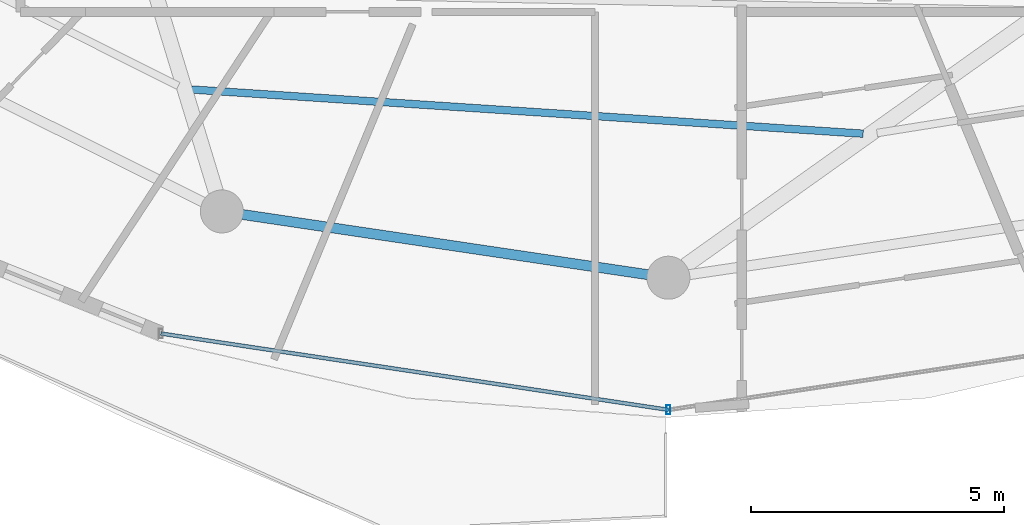
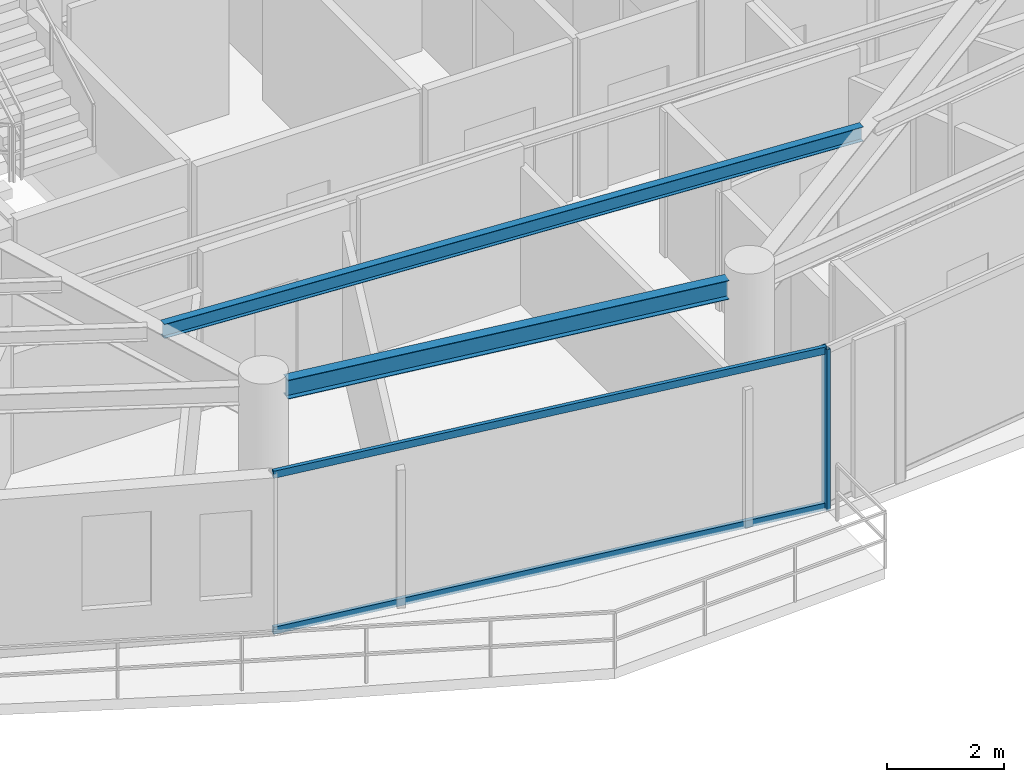
# One storey, part 5 of 30: 3 members, 2 beams, 1 element without a shape of its own.
"""IFC4 building model written with IfcOpenShell, lengths in metres."""

from ifc_helpers import new_model, si_unit, direction, frame, origin, origin_2d, place, context, subcontext, project, spatial, hollow_rectangle, i_section, extrude, material, material_profile, profile_set, type_object, element, aggregate, save


model = new_model("IFC4")

# Units and contexts
model_context = context("Model", 3, precision=1e-05, world=origin(), true_north=direction((0.0, 1.0)))
body_context = subcontext(model_context, "Body", "Model", "MODEL_VIEW")
ifc_project = project(units=[si_unit("LENGTHUNIT", "METRE"), si_unit("AREAUNIT", "SQUARE_METRE"), si_unit("VOLUMEUNIT", "CUBIC_METRE"), si_unit("PLANEANGLEUNIT", "RADIAN"), si_unit("MASSUNIT", "GRAM", prefix="KILO")], contexts=[model_context])

# Site, building, storey
site_placement = place(None, origin())
site = spatial("IfcSite", under=ifc_project, at=site_placement, CompositionType="ELEMENT")
building_placement = place(site_placement, origin())
building = spatial("IfcBuilding", under=site, at=building_placement, Name="Vorneva Point Tower", CompositionType="ELEMENT")
storey_placement = place(building_placement, frame((0.0, 0.0, 252.0)))
storey = spatial("IfcBuildingStorey", under=building, at=storey_placement, Name="L68", CompositionType="ELEMENT", Elevation=252.0)

# Beams
ifc_material_1 = material(Name="Steel S355", Category="steel")
ifc_material_profile_1 = material_profile(ifc_material_1, i_section(OverallWidth=0.14892578125, OverallDepth=0.298095703125, WebThickness=0.005615234375, FlangeThickness=0.008056640625, at=origin_2d()), Name="30B1")
ifc_profile_set_1 = profile_set([ifc_material_profile_1], Name="Steel S355")
beam_type_1 = type_object("IfcBeamType", Name="BM-JST-30B1", PredefinedType="JOIST", material=ifc_profile_set_1)
beam_1_placement = place(storey_placement, frame((28.5810546875, 12.5185546875, 3.14111328125), z_axis=(0.997841748634, -0.065664637992, 0.0), x_axis=(0.065664637992, 0.997841748634, 0.0)))
element("IfcBeam", 1, at=beam_1_placement, inside=storey, type_object=beam_type_1, Name="L68 Secondary Floor Beam 1.12", PredefinedType="JOIST", context=body_context, shape_type="SweptSolid", body=[
    extrude(i_section(OverallWidth=0.14892578125, OverallDepth=0.298095703125, WebThickness=0.005615234375, FlangeThickness=0.008056640625, at=origin_2d()), origin(), (0.0, 0.0, 1.0), 13.295654296875),
])
ifc_material_profile_2 = material_profile(ifc_material_1, i_section(OverallWidth=0.198974609375, OverallDepth=0.39599609375, WebThickness=0.007080078125, FlangeThickness=0.010986328125, at=origin_2d()), Name="40B1")
ifc_profile_set_2 = profile_set([ifc_material_profile_2], Name="Steel S355")
beam_type_2 = type_object("IfcBeamType", Name="BM-SPN-40B1", PredefinedType="SPANDREL", material=ifc_profile_set_2)
beam_2_placement = place(storey_placement, frame((29.584716796875, 10.049072265625, 3.092041015625), z_axis=(0.989161657331, -0.146830567886, 0.0), x_axis=(0.146830567886, 0.989161657331, 0.0)))
element("IfcBeam", 2, at=beam_2_placement, inside=storey, type_object=beam_type_2, Name="L68 Perimeter Spandrel Ring Beam 12", PredefinedType="SPANDREL", context=body_context, shape_type="SweptSolid", body=[
    extrude(i_section(OverallWidth=0.198974609375, OverallDepth=0.39599609375, WebThickness=0.007080078125, FlangeThickness=0.010986328125, at=origin_2d()), origin(), (0.0, 0.0, 1.0), 8.097412109375),
])

# Curtain wall, members
ifc_material_2 = material(Name="Pale anodised aluminium", Category="aluminium")
curtain_wall_type = type_object("IfcCurtainWallType", Name="CW-RES-SYS", PredefinedType="NOTDEFINED", material=ifc_material_2)
curtain_wall_placement = place(storey_placement, origin())
curtain_wall = element("IfcCurtainWall", 3, at=curtain_wall_placement, inside=storey, type_object=curtain_wall_type, Name="L68 Unitised Curtain Wall CW-L68-R04", PredefinedType="NOTDEFINED")
ifc_material_profile_3 = material_profile(ifc_material_2, hollow_rectangle(XDim=0.074951171875, YDim=0.179931640625, WallThickness=0.00390625, at=origin_2d()), Name="AL-MUL 180x75x4")
ifc_profile_set_3 = profile_set([ifc_material_profile_3], Name="Pale anodised aluminium")
member_type_1 = type_object("IfcMemberType", Name="CW-MUL-180", PredefinedType="MULLION", material=ifc_profile_set_3)
member_1_placement = place(storey_placement, frame((38.0, 6.18994140625, -0.0400390625), z_axis=(0.0, 0.0, 1.0), x_axis=(1.0, 0.0, 0.0)))
member_1 = element("IfcMember", 4, at=member_1_placement, type_object=member_type_1, Name="CW-L68-R04 Mullion 02", PredefinedType="MULLION", context=body_context, shape_type="SweptSolid", body=[
    extrude(hollow_rectangle(XDim=0.074951171875, YDim=0.179931640625, WallThickness=0.00390625, at=origin_2d()), origin(), (0.0, 0.0, 1.0), 3.360107421875),
])
ifc_material_profile_4 = material_profile(ifc_material_2, hollow_rectangle(XDim=0.074951171875, YDim=0.14990234375, WallThickness=0.00390625, at=origin_2d()), Name="AL-TRN 150x75x4")
ifc_profile_set_4 = profile_set([ifc_material_profile_4], Name="Pale anodised aluminium")
member_type_2 = type_object("IfcMemberType", Name="CW-TRN-150", PredefinedType="USERDEFINED", material=ifc_profile_set_4)
member_2_placement = place(storey_placement, frame((27.9736328125, 7.697998046875, 0.02001953125), z_axis=(0.988876929856, -0.148736066907, 0.0), x_axis=(0.148736066907, 0.988876929856, 0.0)))
member_2 = element("IfcMember", 5, at=member_2_placement, type_object=member_type_2, Name="CW-L68-R04 Transom 01.1", ObjectType="TRANSOM", PredefinedType="USERDEFINED", context=body_context, shape_type="SweptSolid", body=[
    extrude(hollow_rectangle(XDim=0.074951171875, YDim=0.14990234375, WallThickness=0.00390625, at=origin_2d()), origin(), (0.0, 0.0, 1.0), 10.13916015625),
])
member_3_placement = place(storey_placement, frame((27.9736328125, 7.697998046875, 3.27001953125), z_axis=(0.988876929856, -0.148736066907, 0.0), x_axis=(0.148736066907, 0.988876929856, 0.0)))
member_3 = element("IfcMember", 6, at=member_3_placement, type_object=member_type_2, Name="CW-L68-R04 Transom 01.2", ObjectType="TRANSOM", PredefinedType="USERDEFINED", context=body_context, shape_type="SweptSolid", body=[
    extrude(hollow_rectangle(XDim=0.074951171875, YDim=0.14990234375, WallThickness=0.00390625, at=origin_2d()), origin(), (0.0, 0.0, 1.0), 10.13916015625),
])
aggregate(curtain_wall, [member_1, member_2, member_3])

save(model, "model.ifc")
